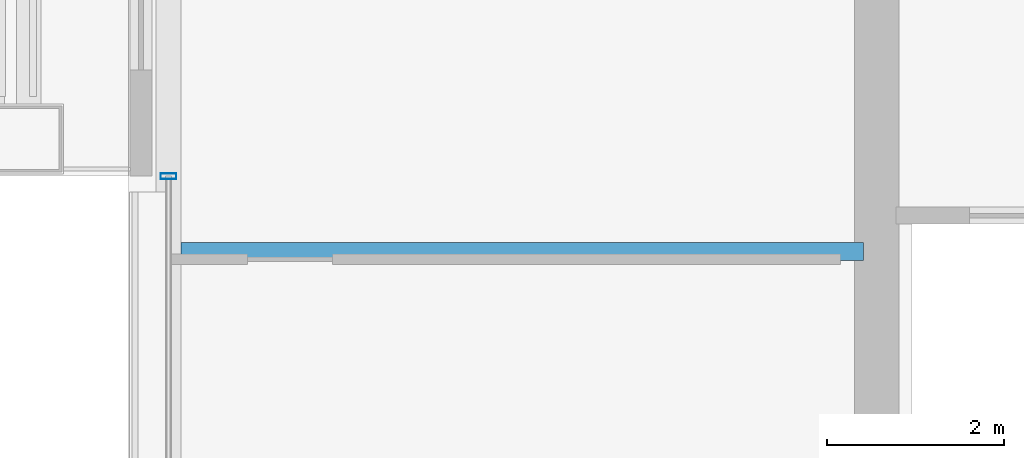
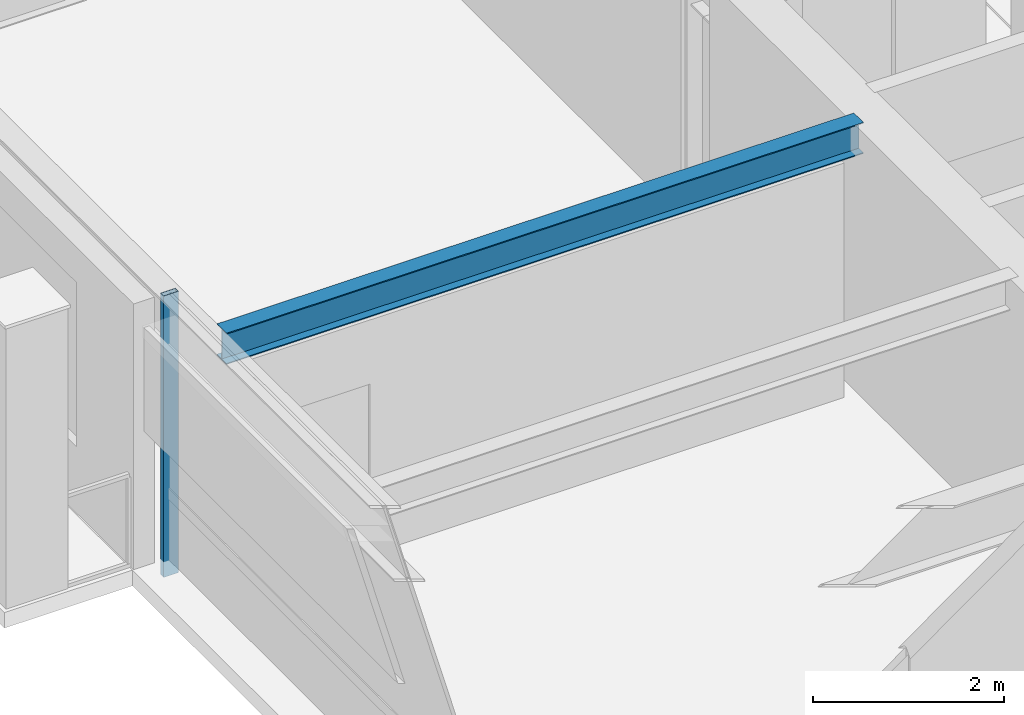
# One storey, part 7 of 29: 1 beam, 1 member, 1 element without a shape of its own.
"""IFC4 building model written with IfcOpenShell, lengths in metres."""

from ifc_helpers import new_model, si_unit, direction, frame, origin, origin_2d, place, context, subcontext, project, spatial, hollow_rectangle, i_section, extrude, material, layer, layer_set, material_profile, profile_set, type_object, element, aggregate, save


model = new_model("IFC4")

# Units and contexts
model_context = context("Model", 3, precision=1e-05, world=origin(), true_north=direction((0.0, 1.0)))
body_context = subcontext(model_context, "Body", "Model", "MODEL_VIEW")
ifc_project = project(units=[si_unit("LENGTHUNIT", "METRE"), si_unit("AREAUNIT", "SQUARE_METRE"), si_unit("VOLUMEUNIT", "CUBIC_METRE"), si_unit("PLANEANGLEUNIT", "RADIAN"), si_unit("MASSUNIT", "GRAM", prefix="KILO")], contexts=[model_context])

# Site, building, storey
site_placement = place(None, origin())
site = spatial("IfcSite", under=ifc_project, at=site_placement, CompositionType="ELEMENT")
building_placement = place(site_placement, origin())
building = spatial("IfcBuilding", under=site, at=building_placement, Name="Brelmoor Portico Tower", CompositionType="ELEMENT")
storey_placement = place(building_placement, frame((0.0, 0.0, 95.39990234375)))
storey = spatial("IfcBuildingStorey", under=building, at=storey_placement, Name="L24", CompositionType="ELEMENT", Elevation=95.39990234375)

# Beam
ifc_material_1 = material(Name="Steel Q355B", Category="steel")
ifc_material_profile_1 = material_profile(ifc_material_1, i_section(OverallWidth=0.199951171875, OverallDepth=0.39990234375, WebThickness=0.008056640625, FlangeThickness=0.012939453125, at=origin_2d()), Name="HN 400x200x8x13")
ifc_profile_set_1 = profile_set([ifc_material_profile_1], Name="Steel Q355B")
beam_type = type_object("IfcBeamType", Name="BM-JS-400", PredefinedType="JOIST", material=ifc_profile_set_1)
beam_placement = place(storey_placement, frame((-22.409912109375, -3.25, 3.2001953125), z_axis=(1.0, 0.0, 0.0), x_axis=(0.0, 1.0, 0.0)))
element("IfcBeam", 1, at=beam_placement, inside=storey, type_object=beam_type, Name="L24 Secondary Wing Joist JS-W06", PredefinedType="JOIST", context=body_context, shape_type="SweptSolid", body=[
    extrude(i_section(OverallWidth=0.199951171875, OverallDepth=0.39990234375, WebThickness=0.008056640625, FlangeThickness=0.012939453125, at=origin_2d()), origin(), (0.0, 0.0, 1.0), 7.7099609375),
])

# Curtain wall, member
ifc_material_2 = material(Name="Anodised Aluminium Alloy 6063-T6", Category="aluminium")
ifc_layer = layer(ifc_material_2, 0.179931640625)
ifc_layer_set = layer_set([ifc_layer], Name="Anodised Aluminium Alloy 6063-T6")
curtain_wall_type = type_object("IfcCurtainWallType", Name="CW-TOWER-Z2", PredefinedType="NOTDEFINED", material=ifc_layer_set)
curtain_wall_placement = place(storey_placement, origin())
curtain_wall = element("IfcCurtainWall", 2, at=curtain_wall_placement, inside=storey, type_object=curtain_wall_type, Name="L24 Curtain Wall CW-L24-3L-2", PredefinedType="NOTDEFINED")
ifc_material_profile_2 = material_profile(ifc_material_2, hollow_rectangle(XDim=0.06494140625, YDim=0.179931640625, WallThickness=0.00390625, at=origin_2d()), Name="ALU MULLION 65x180")
ifc_profile_set_2 = profile_set([ifc_material_profile_2], Name="Anodised Aluminium Alloy 6063-T6")
member_type = type_object("IfcMemberType", Name="MB-CW-MULL-180", PredefinedType="MULLION", material=ifc_profile_set_2)
member_placement = place(storey_placement, frame((-22.550048828125, -2.39990234375, -0.199951171875), z_axis=(0.0, 0.0, 1.0), x_axis=(0.0, 1.0, 0.0)))
member = element("IfcMember", 3, at=member_placement, type_object=member_type, Name="CW-L24-3L-2 Mullion 01", PredefinedType="MULLION", context=body_context, shape_type="SweptSolid", body=[
    extrude(hollow_rectangle(XDim=0.06494140625, YDim=0.179931640625, WallThickness=0.00390625, at=origin_2d()), origin(), (0.0, 0.0, 1.0), 3.60009765625),
])
aggregate(curtain_wall, [member])

save(model, "model.ifc")
